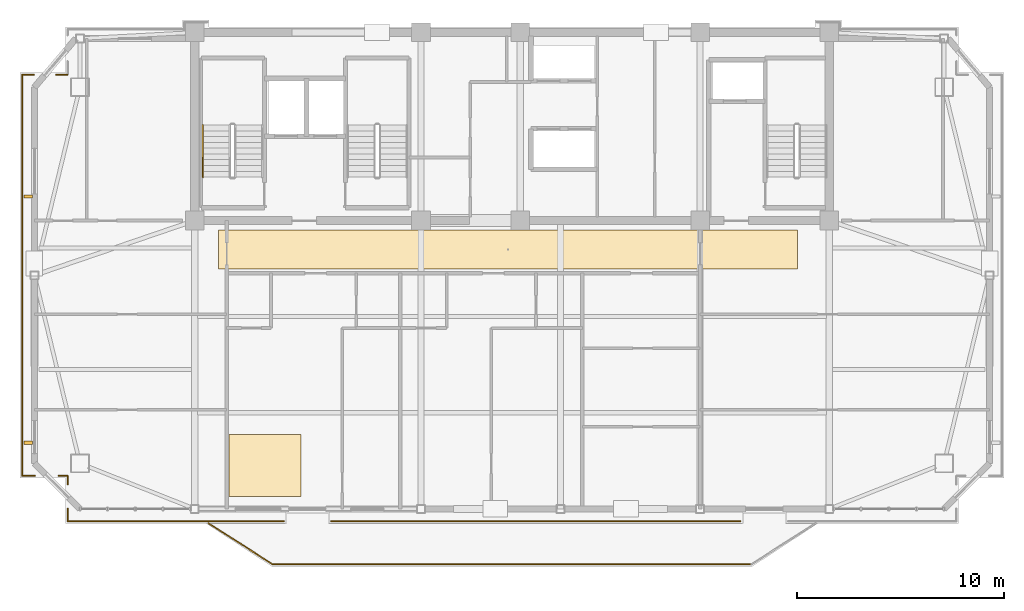
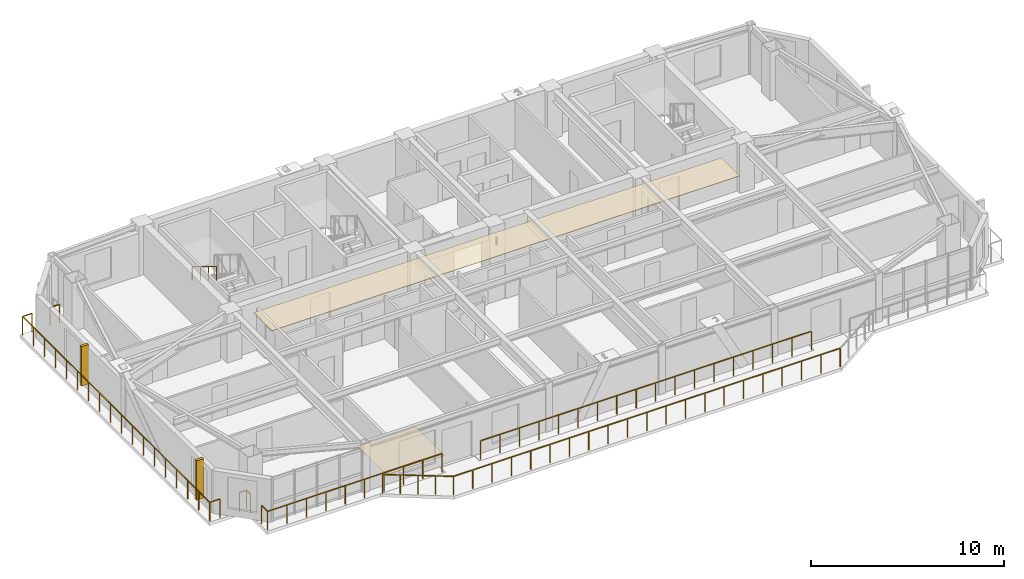
# One storey, part 11 of 13: 12 railings, 2 coverings, 2 shading devices.
"""IFC4 building model written with IfcOpenShell, lengths in metres."""

from ifc_helpers import new_model, si_unit, direction, frame, origin, origin_2d, place, context, subcontext, project, spatial, polyline, rectangle, outline, extrude, source, transform, mapped, material, layer, layer_set, type_object, element, save


model = new_model("IFC4")

# Units and contexts
model_context = context("Model", 3, precision=1e-05, world=origin(), true_north=direction((0.0, 1.0)))
body_context = subcontext(model_context, "Body", "Model", "MODEL_VIEW")
ifc_project = project(units=[si_unit("LENGTHUNIT", "METRE"), si_unit("AREAUNIT", "SQUARE_METRE"), si_unit("VOLUMEUNIT", "CUBIC_METRE"), si_unit("PLANEANGLEUNIT", "RADIAN"), si_unit("MASSUNIT", "GRAM", prefix="KILO")], contexts=[model_context])

# Site, building, storey
site_placement = place(None, origin())
site = spatial("IfcSite", under=ifc_project, at=site_placement, CompositionType="ELEMENT")
building_placement = place(site_placement, origin())
building = spatial("IfcBuilding", under=site, at=building_placement, Name="Giltprow Tower", CompositionType="ELEMENT")
storey_placement = place(building_placement, frame((0.0, 0.0, 349.300048828125)))
storey = spatial("IfcBuildingStorey", under=building, at=storey_placement, Name="L91", CompositionType="ELEMENT", Elevation=349.300048828125)

# Coverings
ifc_material_1 = material(Name="Painted gypsum board", Category="gypsum")
ifc_layer_1 = layer(ifc_material_1, 0.030029296875, Name="Painted gypsum board")
ifc_layer_set_1 = layer_set([ifc_layer_1], Name="Painted gypsum board")
covering_type_1 = type_object("IfcCoveringType", Name="COV-CLG-GYPSUM", PredefinedType="CEILING", material=ifc_layer_set_1)
covering_1_placement = place(storey_placement, frame((0.0, 0.0, 2.619873046875)))
element("IfcCovering", 1, at=covering_1_placement, inside=storey, type_object=covering_type_1, Name="L91 Residence Gallery Ceiling", PredefinedType="CEILING", context=body_context, shape_type="SweptSolid", body=[
    extrude(outline(polyline([(21.0, 35.10009765625), (49.0, 35.10009765625), (49.0, 37.0), (21.0, 37.0), (21.0, 35.10009765625)])), origin(), (0.0, 0.0, 1.0), 0.030029296875),
])
ifc_material_2 = material(Name="Engineered oak", Category="wood")
ifc_layer_2 = layer(ifc_material_2, 0.02490234375, Name="Engineered oak")
ifc_layer_set_2 = layer_set([ifc_layer_2], Name="Engineered oak")
covering_type_2 = type_object("IfcCoveringType", Name="COV-FLR-TIMBER", PredefinedType="FLOORING", material=ifc_layer_set_2)
covering_2_placement = place(storey_placement, origin())
element("IfcCovering", 2, at=covering_2_placement, inside=storey, type_object=covering_type_2, Name="L91 Residence Oak Parquet Flooring", PredefinedType="FLOORING", context=body_context, shape_type="SweptSolid", body=[
    extrude(outline(polyline([(21.5, 24.10009765625), (25.0, 24.10009765625), (25.0, 27.10009765625), (21.5, 27.10009765625), (21.5, 24.10009765625)])), origin(), (0.0, 0.0, 1.0), 0.02490234375),
])

# Railings
ifc_material_3 = material(Name="Anodized bronze", Category="metal")
railing_type_1 = type_object("IfcRailingType", Name="RAIL-BALC-GUARD-1200", PredefinedType="BALUSTRADE", material=ifc_material_3)
railing_1_placement = place(storey_placement, frame((20.52001953125, 22.800048828125, 0.0)))
element("IfcRailing", 3, at=railing_1_placement, inside=storey, type_object=railing_type_1, Name="L91 Waterfront Balcony Balustrade Seg 1", PredefinedType="BALUSTRADE", context=body_context, shape_type="SweptSolid", body=[
    extrude(rectangle(XDim=0.048095703125, YDim=0.048095703125, at=origin_2d()), frame((0.0, 0.0, 1.17578125), z_axis=(0.84277487735, -0.538266203757, 0.0), x_axis=(0.538266203757, 0.84277487735, 0.0)), (0.0, 0.0, 1.0), 3.678466796875),
    extrude(rectangle(XDim=0.0419921875, YDim=0.0419921875, at=origin_2d()), origin(), (0.0, 0.0, 1.0), 1.15185546875),
    extrude(rectangle(XDim=0.0419921875, YDim=0.0419921875, at=origin_2d()), frame((0.77490234375, -0.4951171875, 0.0)), (0.0, 0.0, 1.0), 1.15185546875),
    extrude(rectangle(XDim=0.0419921875, YDim=0.0419921875, at=origin_2d()), frame((1.550048828125, -0.989990234375, 0.0)), (0.0, 0.0, 1.0), 1.15185546875),
    extrude(rectangle(XDim=0.0419921875, YDim=0.0419921875, at=origin_2d()), frame((2.3251953125, -1.48486328125, 0.0)), (0.0, 0.0, 1.0), 1.15185546875),
    extrude(rectangle(XDim=0.0419921875, YDim=0.0419921875, at=origin_2d()), frame((3.10009765625, -1.97998046875, 0.0)), (0.0, 0.0, 1.0), 1.15185546875),
])
railing_2_placement = place(storey_placement, frame((23.6201171875, 20.820068359375, 0.0)))
element("IfcRailing", 4, at=railing_2_placement, inside=storey, type_object=railing_type_1, Name="L91 Waterfront Balcony Balustrade Seg 2", PredefinedType="BALUSTRADE", context=body_context, shape_type="SweptSolid", body=[
    extrude(rectangle(XDim=0.048095703125, YDim=0.048095703125, at=origin_2d()), frame((0.0, 0.0, 1.17578125), z_axis=(1.0, 0.0, 0.0), x_axis=(0.0, 1.0, 0.0)), (0.0, 0.0, 1.0), 23.159912109375),
    extrude(rectangle(XDim=0.0419921875, YDim=0.0419921875, at=origin_2d()), origin(), (0.0, 0.0, 1.0), 1.15185546875),
    extrude(rectangle(XDim=0.0419921875, YDim=0.0419921875, at=origin_2d()), frame((1.157958984375, 0.0, 0.0)), (0.0, 0.0, 1.0), 1.15185546875),
    extrude(rectangle(XDim=0.0419921875, YDim=0.0419921875, at=origin_2d()), frame((2.31591796875, 0.0, 0.0)), (0.0, 0.0, 1.0), 1.15185546875),
    extrude(rectangle(XDim=0.0419921875, YDim=0.0419921875, at=origin_2d()), frame((3.473876953125, 0.0, 0.0)), (0.0, 0.0, 1.0), 1.15185546875),
    extrude(rectangle(XDim=0.0419921875, YDim=0.0419921875, at=origin_2d()), frame((4.632080078125, 0.0, 0.0)), (0.0, 0.0, 1.0), 1.15185546875),
    extrude(rectangle(XDim=0.0419921875, YDim=0.0419921875, at=origin_2d()), frame((5.7900390625, 0.0, 0.0)), (0.0, 0.0, 1.0), 1.15185546875),
    extrude(rectangle(XDim=0.0419921875, YDim=0.0419921875, at=origin_2d()), frame((6.947998046875, 0.0, 0.0)), (0.0, 0.0, 1.0), 1.15185546875),
    extrude(rectangle(XDim=0.0419921875, YDim=0.0419921875, at=origin_2d()), frame((8.10595703125, 0.0, 0.0)), (0.0, 0.0, 1.0), 1.15185546875),
    extrude(rectangle(XDim=0.0419921875, YDim=0.0419921875, at=origin_2d()), frame((9.263916015625, 0.0, 0.0)), (0.0, 0.0, 1.0), 1.15185546875),
    extrude(rectangle(XDim=0.0419921875, YDim=0.0419921875, at=origin_2d()), frame((10.421875, 0.0, 0.0)), (0.0, 0.0, 1.0), 1.15185546875),
    extrude(rectangle(XDim=0.0419921875, YDim=0.0419921875, at=origin_2d()), frame((11.580078125, 0.0, 0.0)), (0.0, 0.0, 1.0), 1.15185546875),
    extrude(rectangle(XDim=0.0419921875, YDim=0.0419921875, at=origin_2d()), frame((12.738037109375, 0.0, 0.0)), (0.0, 0.0, 1.0), 1.15185546875),
    extrude(rectangle(XDim=0.0419921875, YDim=0.0419921875, at=origin_2d()), frame((13.89599609375, 0.0, 0.0)), (0.0, 0.0, 1.0), 1.15185546875),
    extrude(rectangle(XDim=0.0419921875, YDim=0.0419921875, at=origin_2d()), frame((15.053955078125, 0.0, 0.0)), (0.0, 0.0, 1.0), 1.15185546875),
    extrude(rectangle(XDim=0.0419921875, YDim=0.0419921875, at=origin_2d()), frame((16.2119140625, 0.0, 0.0)), (0.0, 0.0, 1.0), 1.15185546875),
    extrude(rectangle(XDim=0.0419921875, YDim=0.0419921875, at=origin_2d()), frame((17.369873046875, 0.0, 0.0)), (0.0, 0.0, 1.0), 1.15185546875),
    extrude(rectangle(XDim=0.0419921875, YDim=0.0419921875, at=origin_2d()), frame((18.52783203125, 0.0, 0.0)), (0.0, 0.0, 1.0), 1.15185546875),
    extrude(rectangle(XDim=0.0419921875, YDim=0.0419921875, at=origin_2d()), frame((19.68603515625, 0.0, 0.0)), (0.0, 0.0, 1.0), 1.15185546875),
    extrude(rectangle(XDim=0.0419921875, YDim=0.0419921875, at=origin_2d()), frame((20.843994140625, 0.0, 0.0)), (0.0, 0.0, 1.0), 1.15185546875),
    extrude(rectangle(XDim=0.0419921875, YDim=0.0419921875, at=origin_2d()), frame((22.001953125, 0.0, 0.0)), (0.0, 0.0, 1.0), 1.15185546875),
    extrude(rectangle(XDim=0.0419921875, YDim=0.0419921875, at=origin_2d()), frame((23.159912109375, 0.0, 0.0)), (0.0, 0.0, 1.0), 1.15185546875),
])
railing_3_placement = place(storey_placement, frame((46.25, 22.89990234375, 0.0)))
element("IfcRailing", 5, at=railing_3_placement, inside=storey, type_object=railing_type_1, Name="L91 Corner Apron Edge Balustrade 7", PredefinedType="BALUSTRADE", context=body_context, shape_type="SweptSolid", body=[
    extrude(rectangle(XDim=0.048095703125, YDim=0.048095703125, at=origin_2d()), frame((0.0, 0.0, 1.17578125), z_axis=(-1.0, 0.0, 0.0), x_axis=(0.0, -1.0, 0.0)), (0.0, 0.0, 1.0), 19.800048828125),
    extrude(rectangle(XDim=0.0419921875, YDim=0.0419921875, at=origin_2d()), origin(), (0.0, 0.0, 1.0), 1.15185546875),
    extrude(rectangle(XDim=0.0419921875, YDim=0.0419921875, at=origin_2d()), frame((-1.164794921875, 0.0, 0.0)), (0.0, 0.0, 1.0), 1.15185546875),
    extrude(rectangle(XDim=0.0419921875, YDim=0.0419921875, at=origin_2d()), frame((-2.329345703125, 0.0, 0.0)), (0.0, 0.0, 1.0), 1.15185546875),
    extrude(rectangle(XDim=0.0419921875, YDim=0.0419921875, at=origin_2d()), frame((-3.494140625, 0.0, 0.0)), (0.0, 0.0, 1.0), 1.15185546875),
    extrude(rectangle(XDim=0.0419921875, YDim=0.0419921875, at=origin_2d()), frame((-4.658935546875, 0.0, 0.0)), (0.0, 0.0, 1.0), 1.15185546875),
    extrude(rectangle(XDim=0.0419921875, YDim=0.0419921875, at=origin_2d()), frame((-5.823486328125, 0.0, 0.0)), (0.0, 0.0, 1.0), 1.15185546875),
    extrude(rectangle(XDim=0.0419921875, YDim=0.0419921875, at=origin_2d()), frame((-6.98828125, 0.0, 0.0)), (0.0, 0.0, 1.0), 1.15185546875),
    extrude(rectangle(XDim=0.0419921875, YDim=0.0419921875, at=origin_2d()), frame((-8.153076171875, 0.0, 0.0)), (0.0, 0.0, 1.0), 1.15185546875),
    extrude(rectangle(XDim=0.0419921875, YDim=0.0419921875, at=origin_2d()), frame((-9.317626953125, 0.0, 0.0)), (0.0, 0.0, 1.0), 1.15185546875),
    extrude(rectangle(XDim=0.0419921875, YDim=0.0419921875, at=origin_2d()), frame((-10.482421875, 0.0, 0.0)), (0.0, 0.0, 1.0), 1.15185546875),
    extrude(rectangle(XDim=0.0419921875, YDim=0.0419921875, at=origin_2d()), frame((-11.64697265625, 0.0, 0.0)), (0.0, 0.0, 1.0), 1.15185546875),
    extrude(rectangle(XDim=0.0419921875, YDim=0.0419921875, at=origin_2d()), frame((-12.811767578125, 0.0, 0.0)), (0.0, 0.0, 1.0), 1.15185546875),
    extrude(rectangle(XDim=0.0419921875, YDim=0.0419921875, at=origin_2d()), frame((-13.9765625, 0.0, 0.0)), (0.0, 0.0, 1.0), 1.15185546875),
    extrude(rectangle(XDim=0.0419921875, YDim=0.0419921875, at=origin_2d()), frame((-15.14111328125, 0.0, 0.0)), (0.0, 0.0, 1.0), 1.15185546875),
    extrude(rectangle(XDim=0.0419921875, YDim=0.0419921875, at=origin_2d()), frame((-16.305908203125, 0.0, 0.0)), (0.0, 0.0, 1.0), 1.15185546875),
    extrude(rectangle(XDim=0.0419921875, YDim=0.0419921875, at=origin_2d()), frame((-17.470703125, 0.0, 0.0)), (0.0, 0.0, 1.0), 1.15185546875),
    extrude(rectangle(XDim=0.0419921875, YDim=0.0419921875, at=origin_2d()), frame((-18.63525390625, 0.0, 0.0)), (0.0, 0.0, 1.0), 1.15185546875),
    extrude(rectangle(XDim=0.0419921875, YDim=0.0419921875, at=origin_2d()), frame((-19.800048828125, 0.0, 0.0)), (0.0, 0.0, 1.0), 1.15185546875),
])
railing_4_placement = place(storey_placement, frame((24.14990234375, 22.89990234375, 0.0)))
element("IfcRailing", 6, at=railing_4_placement, inside=storey, type_object=railing_type_1, Name="L91 Corner Apron Edge Balustrade 8", PredefinedType="BALUSTRADE", context=body_context, shape_type="SweptSolid", body=[
    extrude(rectangle(XDim=0.048095703125, YDim=0.048095703125, at=origin_2d()), frame((0.0, 0.0, 1.17578125), z_axis=(-1.0, 0.0, 0.0), x_axis=(0.0, -1.0, 0.0)), (0.0, 0.0, 1.0), 10.449951171875),
    extrude(rectangle(XDim=0.0419921875, YDim=0.0419921875, at=origin_2d()), origin(), (0.0, 0.0, 1.0), 1.15185546875),
    extrude(rectangle(XDim=0.0419921875, YDim=0.0419921875, at=origin_2d()), frame((-1.1611328125, 0.0, 0.0)), (0.0, 0.0, 1.0), 1.15185546875),
    extrude(rectangle(XDim=0.0419921875, YDim=0.0419921875, at=origin_2d()), frame((-2.322265625, 0.0, 0.0)), (0.0, 0.0, 1.0), 1.15185546875),
    extrude(rectangle(XDim=0.0419921875, YDim=0.0419921875, at=origin_2d()), frame((-3.4833984375, 0.0, 0.0)), (0.0, 0.0, 1.0), 1.15185546875),
    extrude(rectangle(XDim=0.0419921875, YDim=0.0419921875, at=origin_2d()), frame((-4.64453125, 0.0, 0.0)), (0.0, 0.0, 1.0), 1.15185546875),
    extrude(rectangle(XDim=0.0419921875, YDim=0.0419921875, at=origin_2d()), frame((-5.805419921875, 0.0, 0.0)), (0.0, 0.0, 1.0), 1.15185546875),
    extrude(rectangle(XDim=0.0419921875, YDim=0.0419921875, at=origin_2d()), frame((-6.966552734375, 0.0, 0.0)), (0.0, 0.0, 1.0), 1.15185546875),
    extrude(rectangle(XDim=0.0419921875, YDim=0.0419921875, at=origin_2d()), frame((-8.127685546875, 0.0, 0.0)), (0.0, 0.0, 1.0), 1.15185546875),
    extrude(rectangle(XDim=0.0419921875, YDim=0.0419921875, at=origin_2d()), frame((-9.288818359375, 0.0, 0.0)), (0.0, 0.0, 1.0), 1.15185546875),
    extrude(rectangle(XDim=0.0419921875, YDim=0.0419921875, at=origin_2d()), frame((-10.449951171875, 0.0, 0.0)), (0.0, 0.0, 1.0), 1.15185546875),
])
railing_5_placement = place(storey_placement, frame((13.699951171875, 22.89990234375, 0.0)))
element("IfcRailing", 7, at=railing_5_placement, inside=storey, type_object=railing_type_1, Name="L91 Corner Apron Edge Balustrade 9", PredefinedType="BALUSTRADE", context=body_context, shape_type="SweptSolid", body=[
    extrude(rectangle(XDim=0.048095703125, YDim=0.048095703125, at=origin_2d()), frame((0.0, 0.0, 1.17578125), z_axis=(0.0, 1.0, 0.0), x_axis=(-1.0, 0.0, 0.0)), (0.0, 0.0, 1.0), 0.6201171875),
    extrude(rectangle(XDim=0.0419921875, YDim=0.0419921875, at=origin_2d()), origin(), (0.0, 0.0, 1.0), 1.15185546875),
    extrude(rectangle(XDim=0.0419921875, YDim=0.0419921875, at=origin_2d()), frame((0.0, 0.6201171875, 0.0)), (0.0, 0.0, 1.0), 1.15185546875),
])
railing_6_placement = place(storey_placement, frame((13.699951171875, 24.679931640625, 0.0)))
element("IfcRailing", 8, at=railing_6_placement, inside=storey, type_object=railing_type_1, Name="L91 Corner Apron Edge Balustrade 10", PredefinedType="BALUSTRADE", context=body_context, shape_type="SweptSolid", body=[
    extrude(rectangle(XDim=0.048095703125, YDim=0.048095703125, at=origin_2d()), frame((0.0, 0.0, 1.17578125), z_axis=(0.0, 1.0, 0.0), x_axis=(-1.0, 0.0, 0.0)), (0.0, 0.0, 1.0), 0.420166015625),
    extrude(rectangle(XDim=0.0419921875, YDim=0.0419921875, at=origin_2d()), origin(), (0.0, 0.0, 1.0), 1.15185546875),
    extrude(rectangle(XDim=0.0419921875, YDim=0.0419921875, at=origin_2d()), frame((0.0, 0.420166015625, 0.0)), (0.0, 0.0, 1.0), 1.15185546875),
])
railing_7_placement = place(storey_placement, frame((13.699951171875, 25.10009765625, 0.0)))
element("IfcRailing", 9, at=railing_7_placement, inside=storey, type_object=railing_type_1, Name="L91 Corner Apron Edge Balustrade 11", PredefinedType="BALUSTRADE", context=body_context, shape_type="SweptSolid", body=[
    extrude(rectangle(XDim=0.048095703125, YDim=0.048095703125, at=origin_2d()), frame((0.0, 0.0, 1.17578125), z_axis=(-1.0, 0.0, 0.0), x_axis=(0.0, -1.0, 0.0)), (0.0, 0.0, 1.0), 0.419921875),
    extrude(rectangle(XDim=0.0419921875, YDim=0.0419921875, at=origin_2d()), origin(), (0.0, 0.0, 1.0), 1.15185546875),
    extrude(rectangle(XDim=0.0419921875, YDim=0.0419921875, at=origin_2d()), frame((-0.419921875, 0.0, 0.0)), (0.0, 0.0, 1.0), 1.15185546875),
])
railing_8_placement = place(storey_placement, frame((12.1201171875, 25.10009765625, 0.0)))
element("IfcRailing", 10, at=railing_8_placement, inside=storey, type_object=railing_type_1, Name="L91 Corner Apron Edge Balustrade 12", PredefinedType="BALUSTRADE", context=body_context, shape_type="SweptSolid", body=[
    extrude(rectangle(XDim=0.048095703125, YDim=0.048095703125, at=origin_2d()), frame((0.0, 0.0, 1.17578125), z_axis=(-1.0, 0.0, 0.0), x_axis=(0.0, -1.0, 0.0)), (0.0, 0.0, 1.0), 0.6201171875),
    extrude(rectangle(XDim=0.0419921875, YDim=0.0419921875, at=origin_2d()), origin(), (0.0, 0.0, 1.0), 1.15185546875),
    extrude(rectangle(XDim=0.0419921875, YDim=0.0419921875, at=origin_2d()), frame((-0.6201171875, 0.0, 0.0)), (0.0, 0.0, 1.0), 1.15185546875),
])
railing_9_placement = place(storey_placement, frame((11.5, 25.10009765625, 0.0)))
element("IfcRailing", 11, at=railing_9_placement, inside=storey, type_object=railing_type_1, Name="L91 Corner Apron Edge Balustrade 13", PredefinedType="BALUSTRADE", context=body_context, shape_type="SweptSolid", body=[
    extrude(rectangle(XDim=0.048095703125, YDim=0.048095703125, at=origin_2d()), frame((0.0, 0.0, 1.17578125), z_axis=(0.0, 1.0, 0.0), x_axis=(-1.0, 0.0, 0.0)), (0.0, 0.0, 1.0), 19.39990234375),
    extrude(rectangle(XDim=0.0419921875, YDim=0.0419921875, at=origin_2d()), origin(), (0.0, 0.0, 1.0), 1.15185546875),
    extrude(rectangle(XDim=0.0419921875, YDim=0.0419921875, at=origin_2d()), frame((0.0, 1.14111328125, 0.0)), (0.0, 0.0, 1.0), 1.15185546875),
    extrude(rectangle(XDim=0.0419921875, YDim=0.0419921875, at=origin_2d()), frame((0.0, 2.2822265625, 0.0)), (0.0, 0.0, 1.0), 1.15185546875),
    extrude(rectangle(XDim=0.0419921875, YDim=0.0419921875, at=origin_2d()), frame((0.0, 3.423583984375, 0.0)), (0.0, 0.0, 1.0), 1.15185546875),
    extrude(rectangle(XDim=0.0419921875, YDim=0.0419921875, at=origin_2d()), frame((0.0, 4.564697265625, 0.0)), (0.0, 0.0, 1.0), 1.15185546875),
    extrude(rectangle(XDim=0.0419921875, YDim=0.0419921875, at=origin_2d()), frame((0.0, 5.705810546875, 0.0)), (0.0, 0.0, 1.0), 1.15185546875),
    extrude(rectangle(XDim=0.0419921875, YDim=0.0419921875, at=origin_2d()), frame((0.0, 6.846923828125, 0.0)), (0.0, 0.0, 1.0), 1.15185546875),
    extrude(rectangle(XDim=0.0419921875, YDim=0.0419921875, at=origin_2d()), frame((0.0, 7.98828125, 0.0)), (0.0, 0.0, 1.0), 1.15185546875),
    extrude(rectangle(XDim=0.0419921875, YDim=0.0419921875, at=origin_2d()), frame((0.0, 9.12939453125, 0.0)), (0.0, 0.0, 1.0), 1.15185546875),
    extrude(rectangle(XDim=0.0419921875, YDim=0.0419921875, at=origin_2d()), frame((0.0, 10.2705078125, 0.0)), (0.0, 0.0, 1.0), 1.15185546875),
    extrude(rectangle(XDim=0.0419921875, YDim=0.0419921875, at=origin_2d()), frame((0.0, 11.41162109375, 0.0)), (0.0, 0.0, 1.0), 1.15185546875),
    extrude(rectangle(XDim=0.0419921875, YDim=0.0419921875, at=origin_2d()), frame((0.0, 12.552978515625, 0.0)), (0.0, 0.0, 1.0), 1.15185546875),
    extrude(rectangle(XDim=0.0419921875, YDim=0.0419921875, at=origin_2d()), frame((0.0, 13.694091796875, 0.0)), (0.0, 0.0, 1.0), 1.15185546875),
    extrude(rectangle(XDim=0.0419921875, YDim=0.0419921875, at=origin_2d()), frame((0.0, 14.835205078125, 0.0)), (0.0, 0.0, 1.0), 1.15185546875),
    extrude(rectangle(XDim=0.0419921875, YDim=0.0419921875, at=origin_2d()), frame((0.0, 15.976318359375, 0.0)), (0.0, 0.0, 1.0), 1.15185546875),
    extrude(rectangle(XDim=0.0419921875, YDim=0.0419921875, at=origin_2d()), frame((0.0, 17.11767578125, 0.0)), (0.0, 0.0, 1.0), 1.15185546875),
    extrude(rectangle(XDim=0.0419921875, YDim=0.0419921875, at=origin_2d()), frame((0.0, 18.2587890625, 0.0)), (0.0, 0.0, 1.0), 1.15185546875),
    extrude(rectangle(XDim=0.0419921875, YDim=0.0419921875, at=origin_2d()), frame((0.0, 19.39990234375, 0.0)), (0.0, 0.0, 1.0), 1.15185546875),
])
railing_10_placement = place(storey_placement, frame((11.5, 44.5, 0.0)))
element("IfcRailing", 12, at=railing_10_placement, inside=storey, type_object=railing_type_1, Name="L91 Corner Apron Edge Balustrade 14", PredefinedType="BALUSTRADE", context=body_context, shape_type="SweptSolid", body=[
    extrude(rectangle(XDim=0.048095703125, YDim=0.048095703125, at=origin_2d()), frame((0.0, 0.0, 1.17578125), z_axis=(1.0, 0.0, 0.0), x_axis=(0.0, 1.0, 0.0)), (0.0, 0.0, 1.0), 0.572021484375),
    extrude(rectangle(XDim=0.0419921875, YDim=0.0419921875, at=origin_2d()), origin(), (0.0, 0.0, 1.0), 1.15185546875),
    extrude(rectangle(XDim=0.0419921875, YDim=0.0419921875, at=origin_2d()), frame((0.572021484375, 0.0, 0.0)), (0.0, 0.0, 1.0), 1.15185546875),
])
railing_11_placement = place(storey_placement, frame((13.14892578125, 44.5, 0.0)))
element("IfcRailing", 13, at=railing_11_placement, inside=storey, type_object=railing_type_1, Name="L91 Corner Apron Edge Balustrade 15", PredefinedType="BALUSTRADE", context=body_context, shape_type="SweptSolid", body=[
    extrude(rectangle(XDim=0.048095703125, YDim=0.048095703125, at=origin_2d()), frame((0.0, 0.0, 1.17578125), z_axis=(1.0, 0.0, 0.0), x_axis=(0.0, 1.0, 0.0)), (0.0, 0.0, 1.0), 0.551025390625),
    extrude(rectangle(XDim=0.0419921875, YDim=0.0419921875, at=origin_2d()), origin(), (0.0, 0.0, 1.0), 1.15185546875),
    extrude(rectangle(XDim=0.0419921875, YDim=0.0419921875, at=origin_2d()), frame((0.551025390625, 0.0, 0.0)), (0.0, 0.0, 1.0), 1.15185546875),
])
railing_type_2 = type_object("IfcRailingType", Name="RAIL-STAIR-HAND-900", PredefinedType="HANDRAIL", material=ifc_material_3)
railing_12_placement = place(storey_placement, frame((20.25, 42.070068359375, 1.869873046875)))
element("IfcRailing", 14, at=railing_12_placement, inside=storey, type_object=railing_type_2, Name="L91 ST-1 stair handrail 2", PredefinedType="HANDRAIL", context=body_context, shape_type="SweptSolid", body=[
    extrude(rectangle(XDim=0.048095703125, YDim=0.048095703125, at=origin_2d()), frame((0.0, 0.0, 0.8759765625), z_axis=(0.0, -0.85478489116, 0.518982456201), x_axis=(1.0, 0.0, 0.0)), (0.0, 0.0, 1.0), 2.9482421875),
    extrude(rectangle(XDim=0.0419921875, YDim=0.0419921875, at=origin_2d()), origin(), (0.0, 0.0, 1.0), 0.851806640625),
    extrude(rectangle(XDim=0.0419921875, YDim=0.0419921875, at=origin_2d()), frame((0.0, -0.840087890625, 0.510009765625)), (0.0, 0.0, 1.0), 0.851806640625),
    extrude(rectangle(XDim=0.0419921875, YDim=0.0419921875, at=origin_2d()), frame((0.0, -1.679931640625, 1.02001953125)), (0.0, 0.0, 1.0), 0.851806640625),
    extrude(rectangle(XDim=0.0419921875, YDim=0.0419921875, at=origin_2d()), frame((0.0, -2.52001953125, 1.530029296875)), (0.0, 0.0, 1.0), 0.851806640625),
])

# Shading devices
shading_device_type = type_object("IfcShadingDeviceType", Name="SHD-FIN-420", PredefinedType="USERDEFINED", material=ifc_material_3)
shared_shape = source(origin(), body_context, "Body", "SweptSolid", [
    extrude(rectangle(XDim=0.419921875, YDim=0.159912109375, at=origin_2d()), origin(), (0.0, 0.0, 1.0), 2.5),
])
for number, where, z_axis, x_axis, name in (
    (15, (11.800048828125, 26.697021484375, 0.349853515625), (0.0, 0.0, 1.0), (1.0, 0.0, 0.0), "L91 W Bronze Vertical Fin 1-1"),
    (16, (11.800048828125, 38.614013671875, 0.349853515625), (0.0, 0.0, 1.0), (1.0, 0.0, 0.0), "L91 W Bronze Vertical Fin 2-1"),
):
    element("IfcShadingDevice", number, at=place(storey_placement, frame(where, z_axis=z_axis, x_axis=x_axis)), inside=storey, type_object=shading_device_type, Name=name, ObjectType="FIN", PredefinedType="USERDEFINED", context=body_context, shape_type="MappedRepresentation", body=[
        mapped(shared_shape, transform((0.0, 0.0, 0.0), x_axis=(1.0, 0.0, 0.0), y_axis=(0.0, 1.0, 0.0), z_axis=(0.0, 0.0, 1.0), scale=1.0)),
    ])

save(model, "model.ifc")
